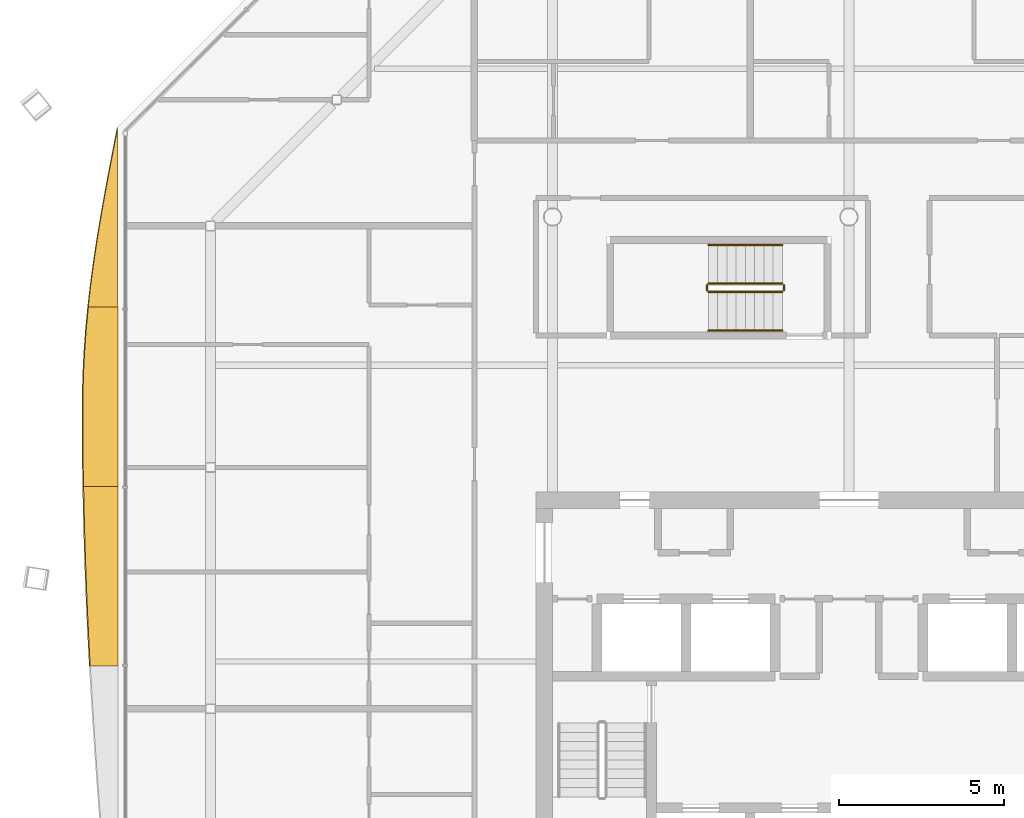
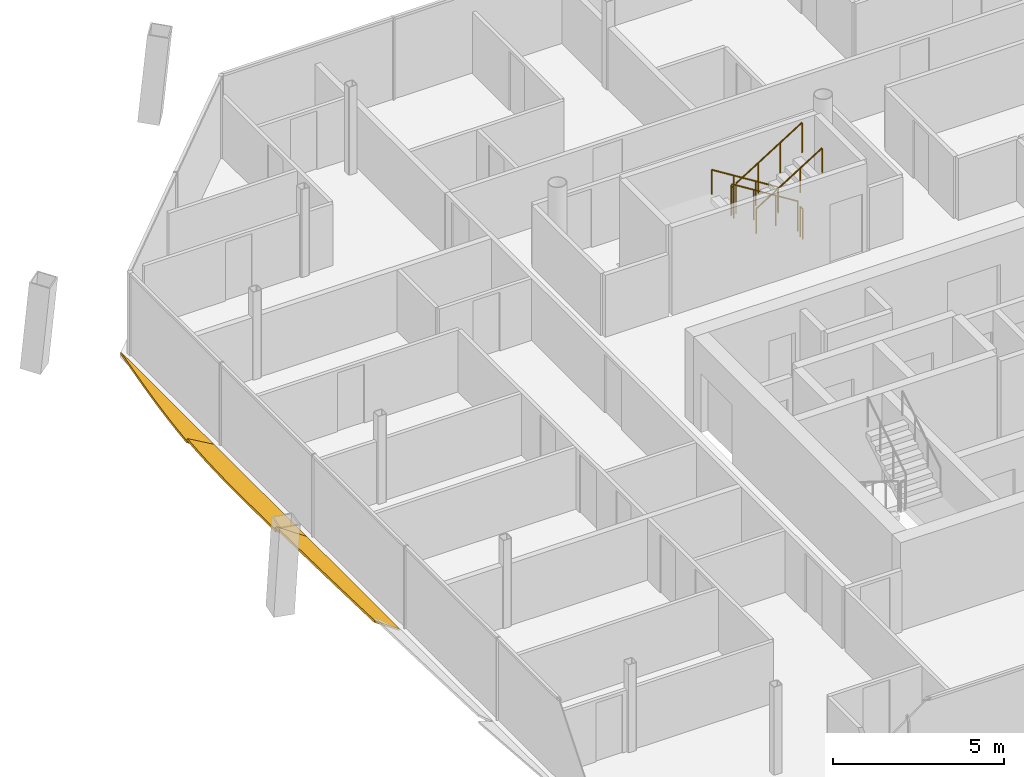
# One storey, part 16 of 18: 6 railings, 3 shading devices.
"""IFC4 building model written with IfcOpenShell, lengths in metres."""

from ifc_helpers import new_model, si_unit, direction, frame, origin, origin_2d, place, context, subcontext, project, spatial, polyline, circle, outline, extrude, material, layer, layer_set, type_object, element, save


model = new_model("IFC4")

# Units and contexts
model_context = context("Model", 3, precision=1e-05, world=origin(), true_north=direction((0.0, 1.0)))
body_context = subcontext(model_context, "Body", "Model", "MODEL_VIEW")
ifc_project = project(units=[si_unit("LENGTHUNIT", "METRE"), si_unit("AREAUNIT", "SQUARE_METRE"), si_unit("VOLUMEUNIT", "CUBIC_METRE"), si_unit("PLANEANGLEUNIT", "RADIAN"), si_unit("MASSUNIT", "GRAM", prefix="KILO")], contexts=[model_context])

# Site, building, storey
site_placement = place(None, origin())
site = spatial("IfcSite", under=ifc_project, at=site_placement, CompositionType="ELEMENT")
building_placement = place(site_placement, origin())
building = spatial("IfcBuilding", under=site, at=building_placement, Name="Tskaro Facet Tower", CompositionType="ELEMENT")
storey_placement = place(building_placement, frame((0.0, 0.0, 223.5)))
storey = spatial("IfcBuildingStorey", under=building, at=storey_placement, Name="L57", CompositionType="ELEMENT", Elevation=223.5)

# Shading devices
ifc_material_1 = material(Name="Bronze anodised aluminium 6063-T6", Category="aluminium")
ifc_layer = layer(ifc_material_1, 0.06005859375, Name="Bronze anodised aluminium 6063-T6")
ifc_layer_set = layer_set([ifc_layer], Name="Bronze anodised aluminium 6063-T6")
shading_device_type = type_object("IfcShadingDeviceType", Name="Bronze sun blade (FN1)", PredefinedType="USERDEFINED", material=ifc_layer_set)
shading_device_1_placement = place(storey_placement, frame((-22.209716796875, 11.712890625, 0.054443359375), z_axis=(0.422575923399, -2.269271e-06, 0.906327528523), x_axis=(-9.58939e-07, -0.999999999997, -2.056703e-06)))
element("IfcShadingDevice", 1, at=shading_device_1_placement, inside=storey, type_object=shading_device_type, Name="Fin blade west 1", ObjectType="FIN", PredefinedType="USERDEFINED", context=body_context, shape_type="SweptSolid", body=[
    extrude(outline(polyline([(0.0, 0.0), (5.450195312485967, 5.770618748323059e-22), (5.450195312522567, -0.989131998438822), (4.769042968707661, -0.9024074250269273), (4.0876464844127245, -0.8013762702925624), (3.406494140518068, -0.688000105620805), (2.7250976559400244, -0.5635916237580968), (2.0437011721383787, -0.430673042247273), (1.362548828398087, -0.29086655768492187), (0.6811523435676963, -0.14657628419465837), (0.0, 0.0)])), origin(), (0.0, 0.0, -1.0), 0.06005859375),
])
shading_device_2_placement = place(storey_placement, frame((-22.205078125, 6.2626953125, 0.052001953125), z_axis=(0.500001781634, 2.020299e-06, 0.866024375153), x_axis=(1.010153e-06, -0.999999999998, 1.749628e-06)))
element("IfcShadingDevice", 2, at=shading_device_2_placement, inside=storey, type_object=shading_device_type, Name="Fin blade west 2", ObjectType="FIN", PredefinedType="USERDEFINED", context=body_context, shape_type="SweptSolid", body=[
    extrude(outline(polyline([(0.0, 0.0), (5.4504394531138765, 5.770877242264482e-22), (5.450439453149678, -1.2060196966673846), (4.76928710929478, -1.2178295273597017), (4.0878906248503135, -1.2257027478212466), (3.4064941406878937, -1.2294279263198036), (3.1069335937474216, -1.229972860531704), (2.725341797023082, -1.226914686992517), (2.0439453124655467, -1.206564630879285), (1.3627929688246094, -1.1674099603037766), (0.681396484357032, -1.1098735387304228), (-1.7197611646639707e-11, -1.0351673053304935), (0.0, 0.0)])), origin(), (0.0, 0.0, -1.0), 0.06005859375),
])
shading_device_3_placement = place(storey_placement, frame((-22.20068359375, 0.812255859375, 0.049072265625), z_axis=(0.573635116736, -1.905686e-06, 0.819110952707), x_axis=(-1.093169e-06, -0.999999999998, -1.560969e-06)))
element("IfcShadingDevice", 3, at=shading_device_3_placement, inside=storey, type_object=shading_device_type, Name="Fin blade west 3", ObjectType="FIN", PredefinedType="USERDEFINED", context=body_context, shape_type="SweptSolid", body=[
    extrude(outline(polyline([(0.0, 0.0), (5.450439453115103, -1.1541754484528964e-21), (5.450439453148446, -1.031260201226383), (4.769042968487294, -1.074881933677377), (4.087890624945249, -1.1150434765457489), (3.406494140357443, -1.151484920947544), (2.725341797002951, -1.184126149870856), (2.043945312602697, -1.2130472803275913), (1.3625488282769858, -1.2377682387859668), (0.6813964845366072, -1.2586290511418432), (-2.1115578715399865e-11, -1.2750897132394212), (0.0, 0.0)])), origin(), (0.0, 0.0, -1.0), 0.06005859375),
])

# Railings
ifc_material_2 = material(Name="Stainless steel", Category="steel")
railing_type_1 = type_object("IfcRailingType", Name="RL-GUARD-1100", PredefinedType="GUARDRAIL", material=ifc_material_2)
railing_1_placement = place(storey_placement, frame((-2.02490234375, 6.97509765625, 0.175048828125)))
element("IfcRailing", 4, at=railing_1_placement, inside=storey, type_object=railing_type_1, Name="L57 ST-3 stair guard 1", PredefinedType="GUARDRAIL", context=body_context, shape_type="SweptSolid", body=[
    extrude(circle(Radius=0.02392578125, at=origin_2d()), frame((0.0, 0.0, 1.076171875), z_axis=(-0.848013881152, 0.0, 0.529974015752), x_axis=(0.0, -1.0, 0.0)), (0.0, 0.0, 1.0), 2.641357421875),
    extrude(circle(Radius=0.02099609375, at=origin_2d()), origin(), (0.0, 0.0, 1.0), 1.052001953125),
    extrude(circle(Radius=0.02099609375, at=origin_2d()), frame((-0.74658203125, 0.0, 0.466552734375)), (0.0, 0.0, 1.0), 1.052001953125),
    extrude(circle(Radius=0.02099609375, at=origin_2d()), frame((-1.493408203125, 0.0, 0.933349609375)), (0.0, 0.0, 1.0), 1.052001953125),
    extrude(circle(Radius=0.02099609375, at=origin_2d()), frame((-2.239990234375, 0.0, 1.39990234375)), (0.0, 0.0, 1.0), 1.052001953125),
])
railing_2_placement = place(storey_placement, frame((-4.31494140625, 6.925048828125, 1.574951171875)))
element("IfcRailing", 5, at=railing_2_placement, inside=storey, type_object=railing_type_1, Name="L57 ST-3 stair guard 2", PredefinedType="GUARDRAIL", context=body_context, shape_type="SweptSolid", body=[
    extrude(circle(Radius=0.02392578125, at=origin_2d()), frame((0.0, 0.0, 1.076171875), z_axis=(0.0, -1.0, 0.0), x_axis=(1.0, 0.0, 0.0)), (0.0, 0.0, 1.0), 0.150146484375),
    extrude(circle(Radius=0.02099609375, at=origin_2d()), origin(), (0.0, 0.0, 1.0), 1.052001953125),
    extrude(circle(Radius=0.02099609375, at=origin_2d()), frame((0.0, -0.150146484375, 0.0)), (0.0, 0.0, 1.0), 1.052001953125),
])
railing_3_placement = place(storey_placement, frame((-4.264892578125, 6.72509765625, 1.75)))
element("IfcRailing", 6, at=railing_3_placement, inside=storey, type_object=railing_type_1, Name="L57 ST-3 stair guard 3", PredefinedType="GUARDRAIL", context=body_context, shape_type="SweptSolid", body=[
    extrude(circle(Radius=0.02392578125, at=origin_2d()), frame((0.0, 0.0, 1.076171875), z_axis=(0.848013881152, 0.0, 0.529974015752), x_axis=(0.0, 1.0, 0.0)), (0.0, 0.0, 1.0), 2.641357421875),
    extrude(circle(Radius=0.02099609375, at=origin_2d()), origin(), (0.0, 0.0, 1.0), 1.052001953125),
    extrude(circle(Radius=0.02099609375, at=origin_2d()), frame((0.74658203125, 0.0, 0.466552734375)), (0.0, 0.0, 1.0), 1.052001953125),
    extrude(circle(Radius=0.02099609375, at=origin_2d()), frame((1.493408203125, 0.0, 0.933349609375)), (0.0, 0.0, 1.0), 1.052001953125),
    extrude(circle(Radius=0.02099609375, at=origin_2d()), frame((2.239990234375, 0.0, 1.39990234375)), (0.0, 0.0, 1.0), 1.052001953125),
])
railing_4_placement = place(storey_placement, frame((-1.97509765625, 6.925048828125, 0.0)))
element("IfcRailing", 7, at=railing_4_placement, inside=storey, type_object=railing_type_1, Name="L57 ST-3 stair guard 4", PredefinedType="GUARDRAIL", context=body_context, shape_type="SweptSolid", body=[
    extrude(circle(Radius=0.02392578125, at=origin_2d()), frame((0.0, 0.0, 1.076171875), z_axis=(0.0, -1.0, 0.0), x_axis=(1.0, 0.0, 0.0)), (0.0, 0.0, 1.0), 0.150146484375),
    extrude(circle(Radius=0.02099609375, at=origin_2d()), origin(), (0.0, 0.0, 1.0), 1.052001953125),
    extrude(circle(Radius=0.02099609375, at=origin_2d()), frame((0.0, -0.150146484375, 0.0)), (0.0, 0.0, 1.0), 1.052001953125),
])
railing_type_2 = type_object("IfcRailingType", Name="RL-HANDRAIL-900", PredefinedType="HANDRAIL", material=ifc_material_2)
railing_5_placement = place(storey_placement, frame((-2.02490234375, 8.14990234375, 0.175048828125)))
element("IfcRailing", 8, at=railing_5_placement, inside=storey, type_object=railing_type_2, Name="L57 ST-3 stair handrail 1", PredefinedType="HANDRAIL", context=body_context, shape_type="SweptSolid", body=[
    extrude(circle(Radius=0.02392578125, at=origin_2d()), frame((0.0, 0.0, 0.8759765625), z_axis=(-0.848013881152, 0.0, 0.529974015752), x_axis=(0.0, -1.0, 0.0)), (0.0, 0.0, 1.0), 2.641357421875),
    extrude(circle(Radius=0.02099609375, at=origin_2d()), origin(), (0.0, 0.0, 1.0), 0.851806640625),
    extrude(circle(Radius=0.02099609375, at=origin_2d()), frame((-0.74658203125, 0.0, 0.466552734375)), (0.0, 0.0, 1.0), 0.851806640625),
    extrude(circle(Radius=0.02099609375, at=origin_2d()), frame((-1.493408203125, 0.0, 0.933349609375)), (0.0, 0.0, 1.0), 0.851806640625),
    extrude(circle(Radius=0.02099609375, at=origin_2d()), frame((-2.239990234375, 0.0, 1.39990234375)), (0.0, 0.0, 1.0), 0.851806640625),
])
railing_6_placement = place(storey_placement, frame((-4.264892578125, 5.550048828125, 1.75)))
element("IfcRailing", 9, at=railing_6_placement, inside=storey, type_object=railing_type_2, Name="L57 ST-3 stair handrail 2", PredefinedType="HANDRAIL", context=body_context, shape_type="SweptSolid", body=[
    extrude(circle(Radius=0.02392578125, at=origin_2d()), frame((0.0, 0.0, 0.8759765625), z_axis=(0.848013881152, 0.0, 0.529974015752), x_axis=(0.0, 1.0, 0.0)), (0.0, 0.0, 1.0), 2.641357421875),
    extrude(circle(Radius=0.02099609375, at=origin_2d()), origin(), (0.0, 0.0, 1.0), 0.851806640625),
    extrude(circle(Radius=0.02099609375, at=origin_2d()), frame((0.74658203125, 0.0, 0.466552734375)), (0.0, 0.0, 1.0), 0.851806640625),
    extrude(circle(Radius=0.02099609375, at=origin_2d()), frame((1.493408203125, 0.0, 0.933349609375)), (0.0, 0.0, 1.0), 0.851806640625),
    extrude(circle(Radius=0.02099609375, at=origin_2d()), frame((2.239990234375, 0.0, 1.39990234375)), (0.0, 0.0, 1.0), 0.851806640625),
])

save(model, "model.ifc")
